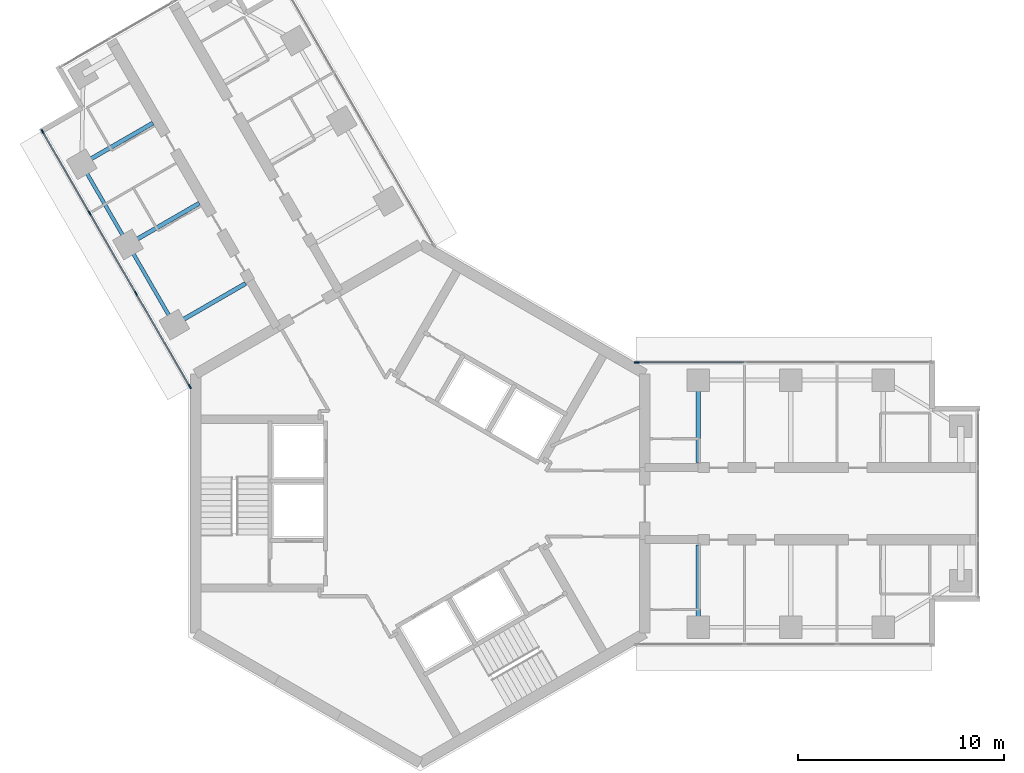
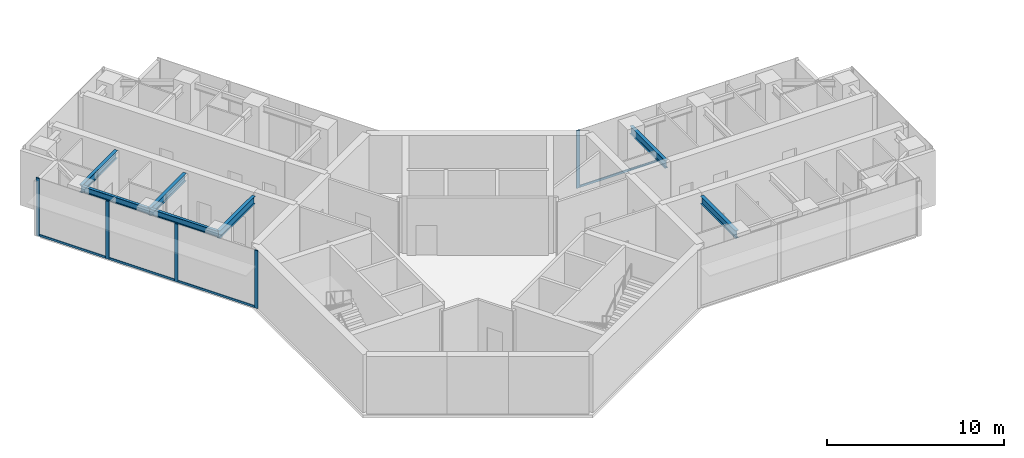
# One storey, part 5 of 18: 9 members, 7 beams, 2 elements without a shape of their own.
"""IFC4 building model written with IfcOpenShell, lengths in metres."""

from ifc_helpers import new_model, si_unit, direction, frame, origin, origin_2d, place, context, subcontext, project, spatial, rectangle, i_section, extrude, material, material_profile, profile_set, type_object, element, aggregate, save


model = new_model("IFC4")

# Units and contexts
model_context = context("Model", 3, precision=1e-05, world=origin(), true_north=direction((0.0, 1.0)))
body_context = subcontext(model_context, "Body", "Model", "MODEL_VIEW")
ifc_project = project(units=[si_unit("LENGTHUNIT", "METRE"), si_unit("AREAUNIT", "SQUARE_METRE"), si_unit("VOLUMEUNIT", "CUBIC_METRE"), si_unit("PLANEANGLEUNIT", "RADIAN"), si_unit("MASSUNIT", "GRAM", prefix="KILO")], contexts=[model_context])

# Site, building, storey
site_placement = place(None, origin())
site = spatial("IfcSite", under=ifc_project, at=site_placement, CompositionType="ELEMENT")
building_placement = place(site_placement, origin())
building = spatial("IfcBuilding", under=site, at=building_placement, Name="Upepo Twin Towers", CompositionType="ELEMENT")
storey_placement = place(building_placement, frame((0.0, 0.0, 218.5)))
storey = spatial("IfcBuildingStorey", under=building, at=storey_placement, Name="L53", CompositionType="ELEMENT", Elevation=218.5)

# Beams
ifc_material_1 = material(Name="Steel S355", Category="steel")
ifc_material_profile_1 = material_profile(ifc_material_1, i_section(OverallWidth=0.177978515625, OverallDepth=0.406494140625, WebThickness=0.0078125, FlangeThickness=0.0126953125, FilletRadius=0.01025390625, at=origin_2d()), Name="UB 406x178x60")
ifc_profile_set_1 = profile_set([ifc_material_profile_1], Name="Steel S355")
beam_type_1 = type_object("IfcBeamType", Name="Beam UB 406x178x60", PredefinedType="BEAM", material=ifc_profile_set_1)
beam_1_placement = place(storey_placement, frame((-11.946044921875, 8.69140625, 3.5966796875), z_axis=(-0.500013631625, 0.866017533419, 0.0), x_axis=(-0.866017533419, -0.500013631625, 0.0)))
element("IfcBeam", 1, at=beam_1_placement, inside=storey, type_object=beam_type_1, Name="T1 edge beam BL 13.5-18.0", PredefinedType="BEAM", context=body_context, shape_type="SweptSolid", body=[
    extrude(i_section(OverallWidth=0.177978515625, OverallDepth=0.406494140625, WebThickness=0.0078125, FlangeThickness=0.0126953125, FilletRadius=0.01025390625, at=origin_2d()), origin(), (0.0, 0.0, 1.0), 4.499755859375),
])
beam_2_placement = place(storey_placement, frame((-14.196044921875, 12.58837890625, 3.5966796875), z_axis=(-0.499990139034, 0.866031096941, 0.0), x_axis=(-0.866031096941, -0.499990139034, 0.0)))
element("IfcBeam", 2, at=beam_2_placement, inside=storey, type_object=beam_type_1, Name="T1 edge beam BL 18.0-22.5", PredefinedType="BEAM", context=body_context, shape_type="SweptSolid", body=[
    extrude(i_section(OverallWidth=0.177978515625, OverallDepth=0.406494140625, WebThickness=0.0078125, FlangeThickness=0.0126953125, FilletRadius=0.01025390625, at=origin_2d()), origin(), (0.0, 0.0, 1.0), 4.5),
])
ifc_material_2 = material(Name="Steel S355", Category="steel")
ifc_material_profile_2 = material_profile(ifc_material_2, i_section(OverallWidth=0.209228515625, OverallDepth=0.533203125, WebThickness=0.010009765625, FlangeThickness=0.015625, FilletRadius=0.0126953125, at=origin_2d()), Name="UB 533x210x92")
ifc_profile_set_2 = profile_set([ifc_material_profile_2], Name="Steel S355")
beam_type_2 = type_object("IfcBeamType", Name="Beam UB 533x210x92", PredefinedType="BEAM", material=ifc_profile_set_2)
for number, where, z_axis, x_axis, name in (
    (3, (13.5, 6.0, 3.533447265625), (0.0, -1.0, 0.0), (1.0, 0.0, 0.0), "T1 girder AL at 13.5"),
    (4, (13.5, -6.0, 3.533447265625), (0.0, 1.0, 0.0), (-1.0, 0.0, 0.0), "T1 girder AR at 13.5"),
    (5, (-11.946044921875, 8.69140625, 3.533447265625), (0.866026010844, 0.49999894854, 0.0), (-0.49999894854, 0.866026010844, 0.0), "T1 girder BL at 13.5"),
    (6, (-14.196044921875, 12.58837890625, 3.533447265625), (0.866026010844, 0.49999894854, 0.0), (-0.49999894854, 0.866026010844, 0.0), "T1 girder BL at 18.0"),
    (7, (-16.446044921875, 16.485595703125, 3.533447265625), (0.866026010844, 0.49999894854, 0.0), (-0.49999894854, 0.866026010844, 0.0), "T1 girder BL at 22.5"),
):
    element("IfcBeam", number, at=place(storey_placement, frame(where, z_axis=z_axis, x_axis=x_axis)), inside=storey, type_object=beam_type_2, Name=name, PredefinedType="BEAM", context=body_context, shape_type="SweptSolid", body=[
        extrude(i_section(OverallWidth=0.209228515625, OverallDepth=0.533203125, WebThickness=0.010009765625, FlangeThickness=0.015625, FilletRadius=0.0126953125, at=origin_2d()), origin(), (0.0, 0.0, 1.0), 4.0),
    ])

# Curtain wall, member
ifc_material_3 = material(Name="Aluminium and fritted glass", Category="aluminium")
curtain_wall_type = type_object("IfcCurtainWallType", Name="Tower curtain wall TW3, fritted glass", PredefinedType="NOTDEFINED", material=ifc_material_3)
curtain_wall_1_placement = place(storey_placement, origin())
curtain_wall_1 = element("IfcCurtainWall", 8, at=curtain_wall_1_placement, inside=storey, type_object=curtain_wall_type, Name="T1 L53 wing A flank L curtain wall", PredefinedType="NOTDEFINED")
ifc_material_4 = material(Name="Aluminium mullion", Category="aluminium")
ifc_material_profile_3 = material_profile(ifc_material_4, rectangle(XDim=0.06494140625, YDim=0.22509765625, at=origin_2d()), Name="MULLION 65x225")
ifc_profile_set_3 = profile_set([ifc_material_profile_3], Name="Aluminium mullion")
member_type_1 = type_object("IfcMemberType", Name="Mullion 65x225 TW3", PredefinedType="MULLION", material=ifc_profile_set_3)
member_1_placement = place(storey_placement, frame((10.51953125, 6.85009765625, 0.0), z_axis=(0.0, 0.0, 1.0), x_axis=(0.0, 1.0, 0.0)))
member_1 = element("IfcMember", 9, at=member_1_placement, type_object=member_type_1, Name="T1 L53 wing A flank L curtain wall mullion 1", PredefinedType="MULLION", context=body_context, shape_type="SweptSolid", body=[
    extrude(rectangle(XDim=0.06494140625, YDim=0.22509765625, at=origin_2d()), origin(), (0.0, 0.0, 1.0), 4.0),
])

# Curtain wall, members
curtain_wall_2_placement = place(storey_placement, origin())
curtain_wall_2 = element("IfcCurtainWall", 10, at=curtain_wall_2_placement, inside=storey, type_object=curtain_wall_type, Name="T1 L53 wing B flank L curtain wall", PredefinedType="NOTDEFINED")
member_2_placement = place(storey_placement, frame((-11.192138671875, 5.685302734375, 0.0), z_axis=(0.0, 0.0, 1.0), x_axis=(-0.866025388469, -0.500000026527, 0.0)))
member_2 = element("IfcMember", 11, at=member_2_placement, type_object=member_type_1, Name="T1 L53 wing B flank L curtain wall mullion 1", PredefinedType="MULLION", context=body_context, shape_type="SweptSolid", body=[
    extrude(rectangle(XDim=0.06494140625, YDim=0.22509765625, at=origin_2d()), origin(), (0.0, 0.0, 1.0), 4.0),
])
member_3_placement = place(storey_placement, frame((-13.807373046875, 10.21484375, 0.0), z_axis=(0.0, 0.0, 1.0), x_axis=(-0.866025388469, -0.500000026527, 0.0)))
member_3 = element("IfcMember", 12, at=member_3_placement, type_object=member_type_1, Name="T1 L53 wing B flank L curtain wall mullion 2", PredefinedType="MULLION", context=body_context, shape_type="SweptSolid", body=[
    extrude(rectangle(XDim=0.06494140625, YDim=0.22509765625, at=origin_2d()), origin(), (0.0, 0.0, 1.0), 4.0),
])
member_4_placement = place(storey_placement, frame((-16.057373046875, 14.112060546875, 0.0), z_axis=(0.0, 0.0, 1.0), x_axis=(-0.866025388469, -0.500000026527, 0.0)))
member_4 = element("IfcMember", 13, at=member_4_placement, type_object=member_type_1, Name="T1 L53 wing B flank L curtain wall mullion 3", PredefinedType="MULLION", context=body_context, shape_type="SweptSolid", body=[
    extrude(rectangle(XDim=0.06494140625, YDim=0.22509765625, at=origin_2d()), origin(), (0.0, 0.0, 1.0), 4.0),
])
member_5_placement = place(storey_placement, frame((-18.341064453125, 18.067626953125, 0.0), z_axis=(0.0, 0.0, 1.0), x_axis=(-0.866025388469, -0.500000026527, 0.0)))
member_5 = element("IfcMember", 14, at=member_5_placement, type_object=member_type_1, Name="T1 L53 wing B flank L curtain wall mullion 4", PredefinedType="MULLION", context=body_context, shape_type="SweptSolid", body=[
    extrude(rectangle(XDim=0.06494140625, YDim=0.22509765625, at=origin_2d()), origin(), (0.0, 0.0, 1.0), 4.0),
])

# Member
ifc_material_5 = material(Name="Aluminium transom", Category="aluminium")
ifc_material_profile_4 = material_profile(ifc_material_5, rectangle(XDim=0.06494140625, YDim=0.14990234375, at=origin_2d()), Name="TRANSOM 65x150")
ifc_profile_set_4 = profile_set([ifc_material_profile_4], Name="Aluminium transom")
member_type_2 = type_object("IfcMemberType", Name="Transom 65x150 TW3", PredefinedType="USERDEFINED", material=ifc_profile_set_4)
member_6_placement = place(storey_placement, frame((10.552001953125, 6.85009765625, 0.074951171875), z_axis=(1.0, 0.0, 0.0), x_axis=(0.0, 1.0, 0.0)))
member_6 = element("IfcMember", 15, at=member_6_placement, type_object=member_type_2, Name="T1 L53 wing A flank L curtain wall transom 1", ObjectType="TRANSOM", PredefinedType="USERDEFINED", context=body_context, shape_type="SweptSolid", body=[
    extrude(rectangle(XDim=0.06494140625, YDim=0.14990234375, at=origin_2d()), origin(), (0.0, 0.0, 1.0), 5.16552734375),
])

aggregate(curtain_wall_1, [member_1, member_6])

member_7_placement = place(storey_placement, frame((-11.208251953125, 5.71337890625, 0.074951171875), z_axis=(-0.500007480159, 0.86602108507, 0.0), x_axis=(-0.86602108507, -0.500007480159, 0.0)))
member_7 = element("IfcMember", 16, at=member_7_placement, type_object=member_type_2, Name="T1 L53 wing B flank L curtain wall transom 1", ObjectType="TRANSOM", PredefinedType="USERDEFINED", context=body_context, shape_type="SweptSolid", body=[
    extrude(rectangle(XDim=0.06494140625, YDim=0.14990234375, at=origin_2d()), origin(), (0.0, 0.0, 1.0), 5.16552734375),
])

member_8_placement = place(storey_placement, frame((-13.823486328125, 10.2431640625, 0.074951171875), z_axis=(-0.500005184116, 0.866022410713, 0.0), x_axis=(-0.866022410713, -0.500005184116, 0.0)))
member_8 = element("IfcMember", 17, at=member_8_placement, type_object=member_type_2, Name="T1 L53 wing B flank L curtain wall transom 2", ObjectType="TRANSOM", PredefinedType="USERDEFINED", context=body_context, shape_type="SweptSolid", body=[
    extrude(rectangle(XDim=0.06494140625, YDim=0.14990234375, at=origin_2d()), origin(), (0.0, 0.0, 1.0), 4.43505859375),
])

member_9_placement = place(storey_placement, frame((-16.073486328125, 14.14013671875, 0.074951171875), z_axis=(-0.499982167615, 0.866035699072, 0.0), x_axis=(-0.866035699072, -0.499982167615, 0.0)))
member_9 = element("IfcMember", 18, at=member_9_placement, type_object=member_type_2, Name="T1 L53 wing B flank L curtain wall transom 3", ObjectType="TRANSOM", PredefinedType="USERDEFINED", context=body_context, shape_type="SweptSolid", body=[
    extrude(rectangle(XDim=0.06494140625, YDim=0.14990234375, at=origin_2d()), origin(), (0.0, 0.0, 1.0), 4.502685546875),
])

aggregate(curtain_wall_2, [member_2, member_3, member_4, member_5, member_7, member_8, member_9])

save(model, "model.ifc")
